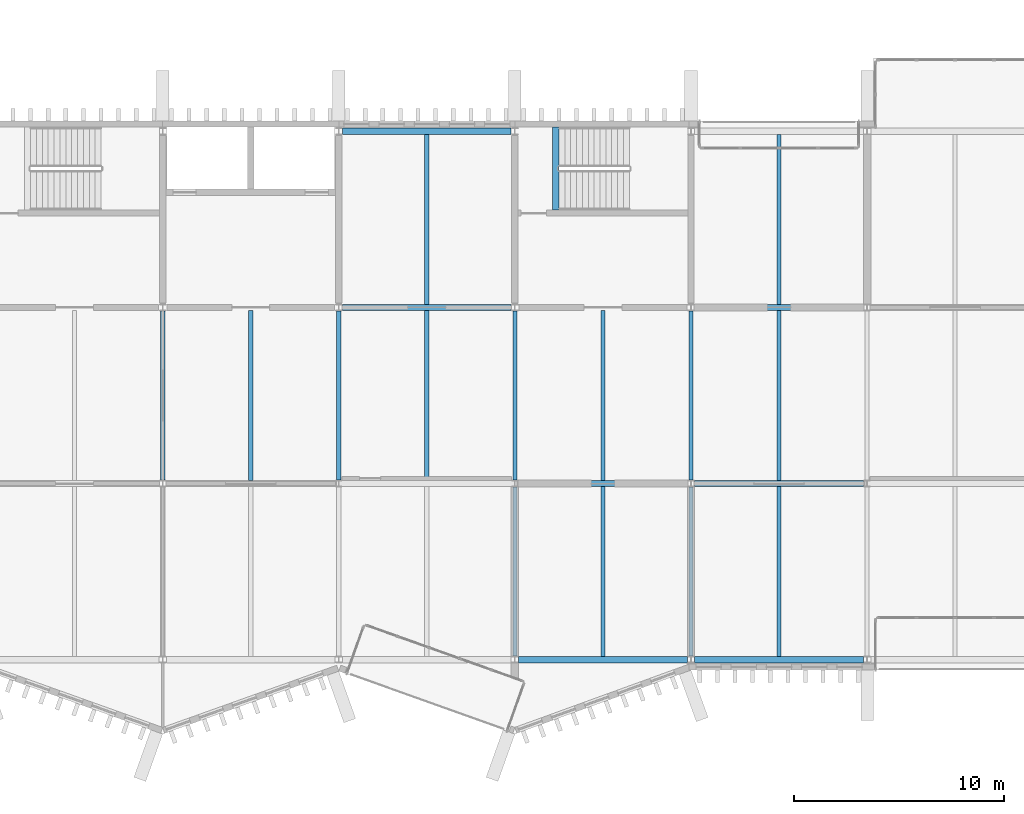
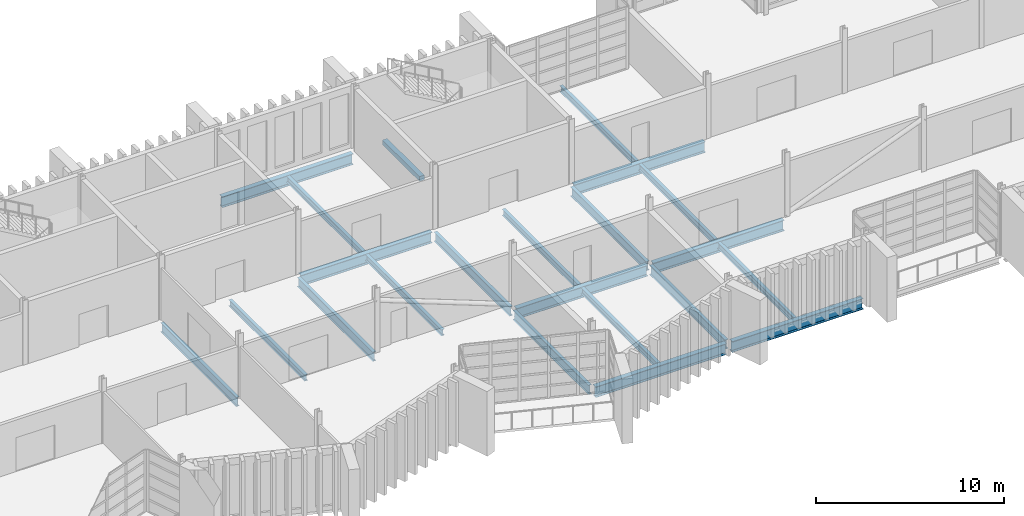
# One storey, part 17 of 100: 22 beams.
"""IFC4 building model written with IfcOpenShell, lengths in metres."""

from ifc_helpers import new_model, si_unit, direction, frame, origin, origin_2d, place, context, subcontext, project, spatial, rectangle, i_section, extrude, material, material_profile, profile_set, type_object, element, save


model = new_model("IFC4")

# Units and contexts
model_context = context("Model", 3, precision=1e-05, world=origin(), true_north=direction((0.0, 1.0)))
body_context = subcontext(model_context, "Body", "Model", "MODEL_VIEW")
ifc_project = project(units=[si_unit("LENGTHUNIT", "METRE"), si_unit("AREAUNIT", "SQUARE_METRE"), si_unit("VOLUMEUNIT", "CUBIC_METRE"), si_unit("PLANEANGLEUNIT", "RADIAN"), si_unit("MASSUNIT", "GRAM", prefix="KILO")], contexts=[model_context])

# Site, building, storey
site_placement = place(None, origin())
site = spatial("IfcSite", under=ifc_project, at=site_placement, CompositionType="ELEMENT")
building_placement = place(site_placement, origin())
building = spatial("IfcBuilding", under=site, at=building_placement, Name="Cresset Court Congress Hotel", CompositionType="ELEMENT")
storey_placement = place(building_placement, frame((0.0, 0.0, 10.199951171875)))
storey = spatial("IfcBuildingStorey", under=building, at=storey_placement, Name="L02", CompositionType="ELEMENT", Elevation=10.199951171875)

# Beams
ifc_material_1 = material(Name="Concrete C40", Category="concrete")
ifc_material_profile_1 = material_profile(ifc_material_1, rectangle(XDim=0.300048828125, YDim=0.300048828125, at=origin_2d()), Name="RC300x300")
ifc_profile_set_1 = profile_set([ifc_material_profile_1], Name="Concrete C40")
beam_type_1 = type_object("IfcBeamType", Name="Stair trimmer beam RC300x300", PredefinedType="BEAM", material=ifc_profile_set_1)
beam_1_placement = place(storey_placement, frame((60.75, 21.449951171875, -0.300048828125), z_axis=(0.0, 1.0, 0.0), x_axis=(-1.0, 0.0, 0.0)))
element("IfcBeam", 1, at=beam_1_placement, inside=storey, type_object=beam_type_1, Name="Trimmer beam ST-B3 L02", PredefinedType="BEAM", context=body_context, shape_type="SweptSolid", body=[
    extrude(rectangle(XDim=0.300048828125, YDim=0.300048828125, at=origin_2d()), origin(), (0.0, 0.0, 1.0), 3.949951171875),
])
ifc_material_2 = material(Name="Structural steel Q355B", Category="steel")
ifc_material_profile_2 = material_profile(ifc_material_2, i_section(OverallWidth=0.199951171875, OverallDepth=0.60009765625, WebThickness=0.010986328125, FlangeThickness=0.01708984375, FilletRadius=0.012939453125, at=origin_2d()), Name="HN600x200x11x17")
ifc_profile_set_2 = profile_set([ifc_material_profile_2], Name="Structural steel Q355B")
beam_type_2 = type_object("IfcBeamType", Name="Steel beam HN600x200x11x17", PredefinedType="BEAM", material=ifc_profile_set_2)
for number, where, z_axis, x_axis, name in (
    (2, (42.0, 8.574951171875, -0.449951171875), (0.0, 1.0, 0.0), (-1.0, 0.0, 0.0), "B.by.L02.06B"),
    (3, (50.39990234375, 8.574951171875, -0.449951171875), (0.0, 1.0, 0.0), (-1.0, 0.0, 0.0), "B.by.L02.07B"),
    (4, (58.800048828125, 0.175048828125, -0.449951171875), (0.0, 1.0, 0.0), (-1.0, 0.0, 0.0), "B.by.L02.08A"),
    (5, (58.800048828125, 8.574951171875, -0.449951171875), (0.0, 1.0, 0.0), (-1.0, 0.0, 0.0), "B.by.L02.08B"),
    (6, (67.199951171875, 0.175048828125, -0.449951171875), (0.0, 1.0, 0.0), (-1.0, 0.0, 0.0), "B.by.L02.09A"),
    (7, (67.199951171875, 8.574951171875, -0.449951171875), (0.0, 1.0, 0.0), (-1.0, 0.0, 0.0), "B.by.L02.09B"),
):
    element("IfcBeam", number, at=place(storey_placement, frame(where, z_axis=z_axis, x_axis=x_axis)), inside=storey, type_object=beam_type_2, Name=name, PredefinedType="BEAM", context=body_context, shape_type="SweptSolid", body=[
        extrude(i_section(OverallWidth=0.199951171875, OverallDepth=0.60009765625, WebThickness=0.010986328125, FlangeThickness=0.01708984375, FilletRadius=0.012939453125, at=origin_2d()), origin(), (0.0, 0.0, 1.0), 8.050048828125),
    ])
ifc_material_3 = material(Name="Structural steel Q355B", Category="steel")
ifc_material_profile_3 = material_profile(ifc_material_3, i_section(OverallWidth=0.300048828125, OverallDepth=0.699951171875, WebThickness=0.012939453125, FlangeThickness=0.02392578125, FilletRadius=0.01806640625, at=origin_2d()), Name="HN700x300x13x24")
ifc_profile_set_3 = profile_set([ifc_material_profile_3], Name="Structural steel Q355B")
beam_type_3 = type_object("IfcBeamType", Name="Steel beam HN700x300x13x24", PredefinedType="BEAM", material=ifc_profile_set_3)
beam_2_placement = place(storey_placement, frame((58.97509765625, 0.0, -0.5), z_axis=(1.0, 0.0, 0.0), x_axis=(0.0, 1.0, 0.0)))
element("IfcBeam", 8, at=beam_2_placement, inside=storey, type_object=beam_type_3, Name="B.bx.L02.A08", PredefinedType="BEAM", context=body_context, shape_type="SweptSolid", body=[
    extrude(i_section(OverallWidth=0.300048828125, OverallDepth=0.699951171875, WebThickness=0.012939453125, FlangeThickness=0.02392578125, FilletRadius=0.01806640625, at=origin_2d()), origin(), (0.0, 0.0, 1.0), 8.0498046875),
])
beam_3_placement = place(storey_placement, frame((67.375, 0.0, -0.5), z_axis=(1.0, 0.0, 0.0), x_axis=(0.0, 1.0, 0.0)))
element("IfcBeam", 9, at=beam_3_placement, inside=storey, type_object=beam_type_3, Name="B.bx.L02.A09", PredefinedType="BEAM", context=body_context, shape_type="SweptSolid", body=[
    extrude(i_section(OverallWidth=0.300048828125, OverallDepth=0.699951171875, WebThickness=0.012939453125, FlangeThickness=0.02392578125, FilletRadius=0.01806640625, at=origin_2d()), origin(), (0.0, 0.0, 1.0), 8.050048828125),
])
beam_4_placement = place(storey_placement, frame((58.97509765625, 8.39990234375, -0.5), z_axis=(1.0, 0.0, 0.0), x_axis=(0.0, 1.0, 0.0)))
element("IfcBeam", 10, at=beam_4_placement, inside=storey, type_object=beam_type_3, Name="B.bx.L02.B08", PredefinedType="BEAM", context=body_context, shape_type="SweptSolid", body=[
    extrude(i_section(OverallWidth=0.300048828125, OverallDepth=0.699951171875, WebThickness=0.012939453125, FlangeThickness=0.02392578125, FilletRadius=0.01806640625, at=origin_2d()), origin(), (0.0, 0.0, 1.0), 8.0498046875),
])
for number, where, z_axis, x_axis, name in (
    (11, (67.375, 8.39990234375, -0.5), (1.0, 0.0, 0.0), (0.0, 1.0, 0.0), "B.bx.L02.B09"),
    (12, (50.574951171875, 16.800048828125, -0.5), (1.0, 0.0, 0.0), (0.0, 1.0, 0.0), "B.bx.L02.C07"),
    (13, (67.375, 16.800048828125, -0.5), (1.0, 0.0, 0.0), (0.0, 1.0, 0.0), "B.bx.L02.C09"),
    (14, (50.574951171875, 25.199951171875, -0.5), (1.0, 0.0, 0.0), (0.0, 1.0, 0.0), "B.bx.L02.D07"),
):
    element("IfcBeam", number, at=place(storey_placement, frame(where, z_axis=z_axis, x_axis=x_axis)), inside=storey, type_object=beam_type_3, Name=name, PredefinedType="BEAM", context=body_context, shape_type="SweptSolid", body=[
        extrude(i_section(OverallWidth=0.300048828125, OverallDepth=0.699951171875, WebThickness=0.012939453125, FlangeThickness=0.02392578125, FilletRadius=0.01806640625, at=origin_2d()), origin(), (0.0, 0.0, 1.0), 8.050048828125),
    ])
ifc_material_4 = material(Name="Structural steel Q355B", Category="steel")
ifc_material_profile_4 = material_profile(ifc_material_4, i_section(OverallWidth=0.199951171875, OverallDepth=0.39990234375, WebThickness=0.008056640625, FlangeThickness=0.012939453125, FilletRadius=0.01611328125, at=origin_2d()), Name="HN400x200x8x13")
ifc_profile_set_4 = profile_set([ifc_material_profile_4], Name="Structural steel Q355B")
beam_type_4 = type_object("IfcBeamType", Name="Steel joist HN400x200x8x13", PredefinedType="JOIST", material=ifc_profile_set_4)
for number, where, z_axis, x_axis, name in (
    (15, (46.199951171875, 8.550048828125, -0.349853515625), (0.0, 1.0, 0.0), (-1.0, 0.0, 0.0), "B.bj.L02.06B"),
    (16, (54.60009765625, 8.550048828125, -0.349853515625), (0.0, 1.0, 0.0), (-1.0, 0.0, 0.0), "B.bj.L02.07B"),
):
    element("IfcBeam", number, at=place(storey_placement, frame(where, z_axis=z_axis, x_axis=x_axis)), inside=storey, type_object=beam_type_4, Name=name, PredefinedType="JOIST", context=body_context, shape_type="SweptSolid", body=[
        extrude(i_section(OverallWidth=0.199951171875, OverallDepth=0.39990234375, WebThickness=0.008056640625, FlangeThickness=0.012939453125, FilletRadius=0.01611328125, at=origin_2d()), origin(), (0.0, 0.0, 1.0), 8.099853515625),
    ])
for number, where, z_axis, x_axis, name in (
    (17, (54.60009765625, 16.949951171875, -0.349853515625), (0.0, 1.0, 0.0), (-1.0, 0.0, 0.0), "B.bj.L02.07C"),
    (18, (63.0, 0.14990234375, -0.349853515625), (0.0, 1.0, 0.0), (-1.0, 0.0, 0.0), "B.bj.L02.08A"),
):
    element("IfcBeam", number, at=place(storey_placement, frame(where, z_axis=z_axis, x_axis=x_axis)), inside=storey, type_object=beam_type_4, Name=name, PredefinedType="JOIST", context=body_context, shape_type="SweptSolid", body=[
        extrude(i_section(OverallWidth=0.199951171875, OverallDepth=0.39990234375, WebThickness=0.008056640625, FlangeThickness=0.012939453125, FilletRadius=0.01611328125, at=origin_2d()), origin(), (0.0, 0.0, 1.0), 8.10009765625),
    ])
beam_5_placement = place(storey_placement, frame((63.0, 8.550048828125, -0.349853515625), z_axis=(0.0, 1.0, 0.0), x_axis=(-1.0, 0.0, 0.0)))
element("IfcBeam", 19, at=beam_5_placement, inside=storey, type_object=beam_type_4, Name="B.bj.L02.08B", PredefinedType="JOIST", context=body_context, shape_type="SweptSolid", body=[
    extrude(i_section(OverallWidth=0.199951171875, OverallDepth=0.39990234375, WebThickness=0.008056640625, FlangeThickness=0.012939453125, FilletRadius=0.01611328125, at=origin_2d()), origin(), (0.0, 0.0, 1.0), 8.099853515625),
])
beam_6_placement = place(storey_placement, frame((71.39990234375, 0.14990234375, -0.349853515625), z_axis=(0.0, 1.0, 0.0), x_axis=(-1.0, 0.0, 0.0)))
element("IfcBeam", 20, at=beam_6_placement, inside=storey, type_object=beam_type_4, Name="B.bj.L02.09A", PredefinedType="JOIST", context=body_context, shape_type="SweptSolid", body=[
    extrude(i_section(OverallWidth=0.199951171875, OverallDepth=0.39990234375, WebThickness=0.008056640625, FlangeThickness=0.012939453125, FilletRadius=0.01611328125, at=origin_2d()), origin(), (0.0, 0.0, 1.0), 8.10009765625),
])
beam_7_placement = place(storey_placement, frame((71.39990234375, 8.550048828125, -0.349853515625), z_axis=(0.0, 1.0, 0.0), x_axis=(-1.0, 0.0, 0.0)))
element("IfcBeam", 21, at=beam_7_placement, inside=storey, type_object=beam_type_4, Name="B.bj.L02.09B", PredefinedType="JOIST", context=body_context, shape_type="SweptSolid", body=[
    extrude(i_section(OverallWidth=0.199951171875, OverallDepth=0.39990234375, WebThickness=0.008056640625, FlangeThickness=0.012939453125, FilletRadius=0.01611328125, at=origin_2d()), origin(), (0.0, 0.0, 1.0), 8.099853515625),
])
beam_8_placement = place(storey_placement, frame((71.39990234375, 16.949951171875, -0.349853515625), z_axis=(0.0, 1.0, 0.0), x_axis=(-1.0, 0.0, 0.0)))
element("IfcBeam", 22, at=beam_8_placement, inside=storey, type_object=beam_type_4, Name="B.bj.L02.09C", PredefinedType="JOIST", context=body_context, shape_type="SweptSolid", body=[
    extrude(i_section(OverallWidth=0.199951171875, OverallDepth=0.39990234375, WebThickness=0.008056640625, FlangeThickness=0.012939453125, FilletRadius=0.01611328125, at=origin_2d()), origin(), (0.0, 0.0, 1.0), 8.10009765625),
])

save(model, "model.ifc")
